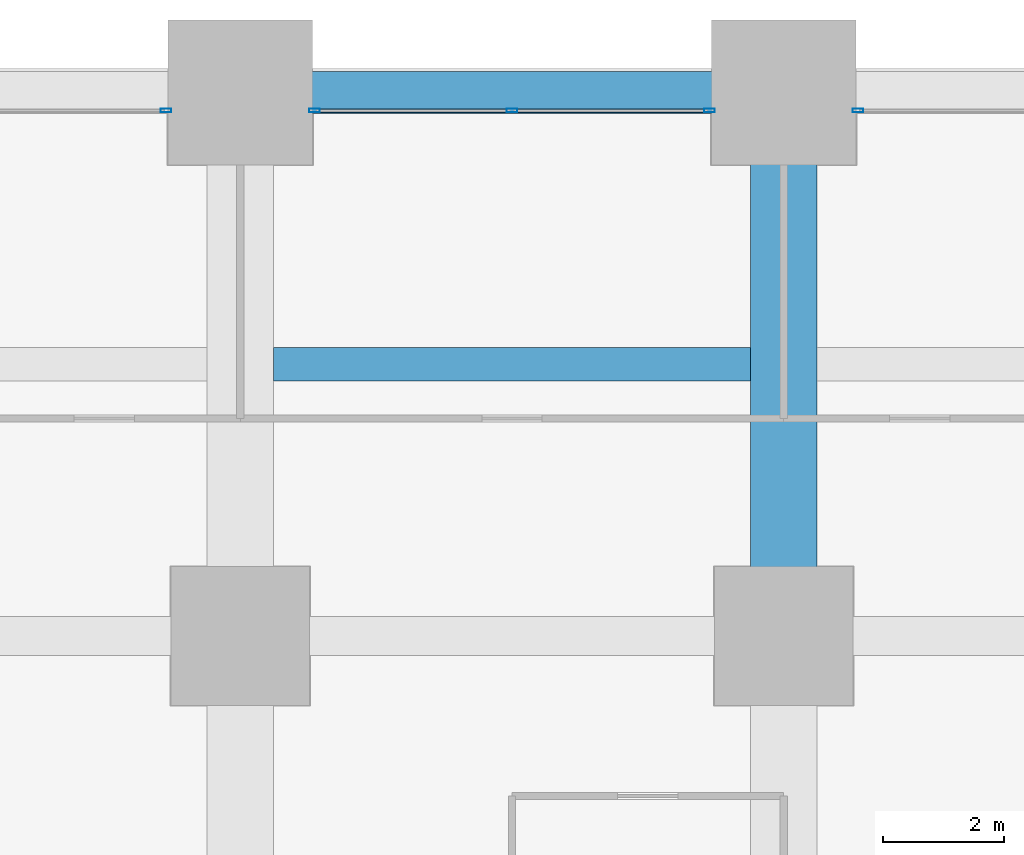
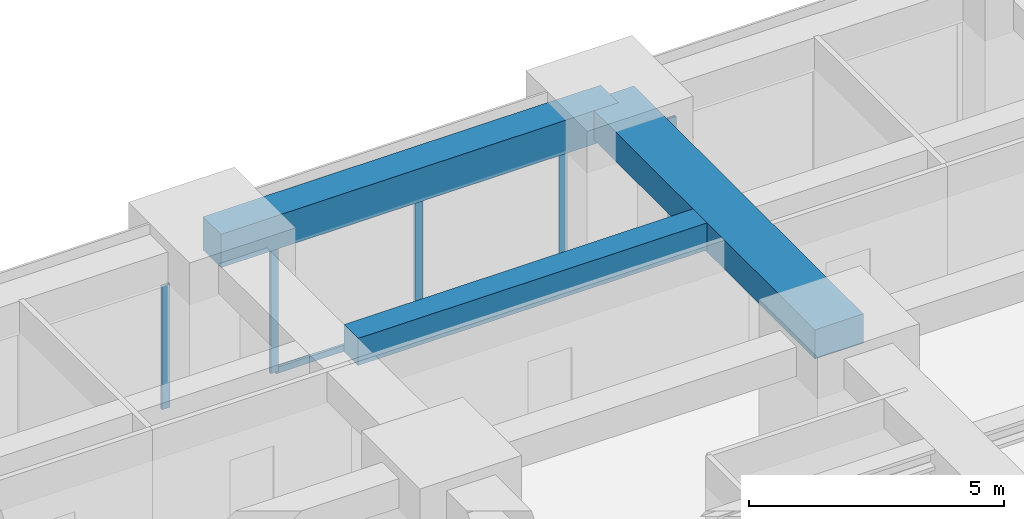
# One storey, part 21 of 38: 6 members, 3 beams, 3 elements without a shape of their own.
"""IFC4 building model written with IfcOpenShell, lengths in metres."""

from ifc_helpers import new_model, si_unit, direction, frame, origin, origin_2d, place, context, subcontext, project, spatial, rectangle, hollow_rectangle, extrude, material, material_profile, profile_set, type_object, element, aggregate, save


model = new_model("IFC4")

# Units and contexts
model_context = context("Model", 3, precision=1e-05, world=origin(), true_north=direction((0.0, 1.0)))
body_context = subcontext(model_context, "Body", "Model", "MODEL_VIEW")
ifc_project = project(units=[si_unit("LENGTHUNIT", "METRE"), si_unit("AREAUNIT", "SQUARE_METRE"), si_unit("VOLUMEUNIT", "CUBIC_METRE"), si_unit("PLANEANGLEUNIT", "RADIAN"), si_unit("MASSUNIT", "GRAM", prefix="KILO")], contexts=[model_context])

# Site, building, storey
site_placement = place(None, origin())
site = spatial("IfcSite", under=ifc_project, at=site_placement, CompositionType="ELEMENT")
building_placement = place(site_placement, origin())
building = spatial("IfcBuilding", under=site, at=building_placement, Name="Zorevar Civic Tower", CompositionType="ELEMENT")
storey_placement = place(building_placement, frame((0.0, 0.0, 15.800048828125)))
storey = spatial("IfcBuildingStorey", under=building, at=storey_placement, Name="L03", CompositionType="ELEMENT", Elevation=15.800048828125)

# Beams
ifc_material_1 = material(Name="Concrete C50/60", Category="concrete")
ifc_material_profile_1 = material_profile(ifc_material_1, rectangle(XDim=1.10009765625, YDim=0.699951171875, at=origin_2d()), Name="RC 1100x700")
ifc_profile_set_1 = profile_set([ifc_material_profile_1], Name="Concrete C50/60")
beam_type_1 = type_object("IfcBeamType", Name="Beam RC 1100x700", PredefinedType="BEAM", material=ifc_profile_set_1)
beam_1_placement = place(storey_placement, frame((36.0, 45.0, 3.39990234375), z_axis=(0.0, 1.0, 0.0), x_axis=(-1.0, 0.0, 0.0)))
element("IfcBeam", 1, at=beam_1_placement, inside=storey, type_object=beam_type_1, Name="Girder L04", PredefinedType="BEAM", context=body_context, shape_type="SweptSolid", body=[
    extrude(rectangle(XDim=1.10009765625, YDim=0.699951171875, at=origin_2d()), origin(), (0.0, 0.0, 1.0), 9.0),
])
ifc_material_2 = material(Name="Concrete C50/60", Category="concrete")
ifc_material_profile_2 = material_profile(ifc_material_2, rectangle(XDim=0.550048828125, YDim=0.64990234375, at=origin_2d()), Name="RC 550x650")
ifc_profile_set_2 = profile_set([ifc_material_profile_2], Name="Concrete C50/60")
beam_type_2 = type_object("IfcBeamType", Name="Beam RC 550x650", PredefinedType="BEAM", material=ifc_profile_set_2)
beam_2_placement = place(storey_placement, frame((27.550048828125, 49.5, 3.425048828125), z_axis=(1.0, 0.0, 0.0), x_axis=(0.0, 1.0, 0.0)))
element("IfcBeam", 2, at=beam_2_placement, inside=storey, type_object=beam_type_2, Name="Secondary beam L04", PredefinedType="BEAM", context=body_context, shape_type="SweptSolid", body=[
    extrude(rectangle(XDim=0.550048828125, YDim=0.64990234375, at=origin_2d()), origin(), (0.0, 0.0, 1.0), 7.89990234375),
])

# Curtain wall, member
ifc_material_3 = material(Name="Dark grey solar-control glass in black aluminium frame", Category="aluminium")
curtain_wall_type = type_object("IfcCurtainWallType", Name="Curtain wall CW2 low zone", PredefinedType="NOTDEFINED", material=ifc_material_3)
curtain_wall_1_placement = place(storey_placement, origin())
curtain_wall_1 = element("IfcCurtainWall", 3, at=curtain_wall_1_placement, inside=storey, type_object=curtain_wall_type, Name="CW2 L03", PredefinedType="NOTDEFINED")
ifc_material_4 = material(Name="Aluminium, black anodised", Category="aluminium")
ifc_material_profile_3 = material_profile(ifc_material_4, hollow_rectangle(XDim=0.06005859375, YDim=0.179931640625, WallThickness=0.00390625, at=origin_2d()), Name="AL 180x60x4")
ifc_profile_set_3 = profile_set([ifc_material_profile_3], Name="Aluminium, black anodised")
member_type_1 = type_object("IfcMemberType", Name="CW2 mullion AL 180x60x4", PredefinedType="MULLION", material=ifc_profile_set_3)
member_1_placement = place(storey_placement, frame((25.77001953125, 53.699951171875, 0.0), z_axis=(0.0, 0.0, 1.0), x_axis=(0.0, 1.0, 0.0)))
member_1 = element("IfcMember", 4, at=member_1_placement, type_object=member_type_1, Name="CW2 mullion 3", PredefinedType="MULLION", context=body_context, shape_type="SweptSolid", body=[
    extrude(hollow_rectangle(XDim=0.06005859375, YDim=0.179931640625, WallThickness=0.00390625, at=origin_2d()), origin(), (0.0, 0.0, 1.0), 2.949951171875),
])
aggregate(curtain_wall_1, [member_1])

# Curtain wall, members
curtain_wall_2_placement = place(storey_placement, origin())
curtain_wall_2 = element("IfcCurtainWall", 5, at=curtain_wall_2_placement, inside=storey, type_object=curtain_wall_type, Name="CW2 L03", PredefinedType="NOTDEFINED")
member_2_placement = place(storey_placement, frame((28.22998046875, 53.699951171875, 0.0), z_axis=(0.0, 0.0, 1.0), x_axis=(0.0, 1.0, 0.0)))
member_2 = element("IfcMember", 6, at=member_2_placement, type_object=member_type_1, Name="CW2 mullion 1", PredefinedType="MULLION", context=body_context, shape_type="SweptSolid", body=[
    extrude(hollow_rectangle(XDim=0.06005859375, YDim=0.179931640625, WallThickness=0.00390625, at=origin_2d()), origin(), (0.0, 0.0, 1.0), 2.949951171875),
])
member_3_placement = place(storey_placement, frame((31.5, 53.699951171875, 0.06005859375), z_axis=(0.0, 0.0, 1.0), x_axis=(0.0, 1.0, 0.0)))
member_3 = element("IfcMember", 7, at=member_3_placement, type_object=member_type_1, Name="CW2 mullion 2", PredefinedType="MULLION", context=body_context, shape_type="SweptSolid", body=[
    extrude(hollow_rectangle(XDim=0.06005859375, YDim=0.179931640625, WallThickness=0.00390625, at=origin_2d()), origin(), (0.0, 0.0, 1.0), 2.889892578125),
])
member_4_placement = place(storey_placement, frame((34.77001953125, 53.699951171875, 0.0), z_axis=(0.0, 0.0, 1.0), x_axis=(0.0, 1.0, 0.0)))
member_4 = element("IfcMember", 8, at=member_4_placement, type_object=member_type_1, Name="CW2 mullion 3", PredefinedType="MULLION", context=body_context, shape_type="SweptSolid", body=[
    extrude(hollow_rectangle(XDim=0.06005859375, YDim=0.179931640625, WallThickness=0.00390625, at=origin_2d()), origin(), (0.0, 0.0, 1.0), 2.949951171875),
])

# Curtain wall, member
curtain_wall_3_placement = place(storey_placement, origin())
curtain_wall_3 = element("IfcCurtainWall", 9, at=curtain_wall_3_placement, inside=storey, type_object=curtain_wall_type, Name="CW2 L03", PredefinedType="NOTDEFINED")
member_5_placement = place(storey_placement, frame((37.22998046875, 53.699951171875, 0.0), z_axis=(0.0, 0.0, 1.0), x_axis=(0.0, 1.0, 0.0)))
member_5 = element("IfcMember", 10, at=member_5_placement, type_object=member_type_1, Name="CW2 mullion 1", PredefinedType="MULLION", context=body_context, shape_type="SweptSolid", body=[
    extrude(hollow_rectangle(XDim=0.06005859375, YDim=0.179931640625, WallThickness=0.00390625, at=origin_2d()), origin(), (0.0, 0.0, 1.0), 2.949951171875),
])
aggregate(curtain_wall_3, [member_5])

# Member
ifc_material_5 = material(Name="Aluminium, black anodised", Category="aluminium")
ifc_material_profile_4 = material_profile(ifc_material_5, hollow_rectangle(XDim=0.06005859375, YDim=0.14990234375, WallThickness=0.00390625, at=origin_2d()), Name="AL 150x60x4")
ifc_profile_set_4 = profile_set([ifc_material_profile_4], Name="Aluminium, black anodised")
member_type_2 = type_object("IfcMemberType", Name="CW2 transom AL 150x60x4", PredefinedType="USERDEFINED", material=ifc_profile_set_4)
member_6_placement = place(storey_placement, frame((28.260009765625, 53.699951171875, 0.030029296875), z_axis=(1.0, 0.0, 0.0), x_axis=(0.0, 1.0, 0.0)))
member_6 = element("IfcMember", 11, at=member_6_placement, type_object=member_type_2, Name="CW2 sill transom", ObjectType="TRANSOM", PredefinedType="USERDEFINED", context=body_context, shape_type="SweptSolid", body=[
    extrude(hollow_rectangle(XDim=0.06005859375, YDim=0.14990234375, WallThickness=0.00390625, at=origin_2d()), origin(), (0.0, 0.0, 1.0), 6.47998046875),
])

aggregate(curtain_wall_2, [member_2, member_3, member_4, member_6])

# Beam
ifc_material_6 = material(Name="Concrete C50/60", Category="concrete")
ifc_material_profile_5 = material_profile(ifc_material_6, rectangle(XDim=0.699951171875, YDim=0.800048828125, at=origin_2d()), Name="RC 700x800")
ifc_profile_set_5 = profile_set([ifc_material_profile_5], Name="Concrete C50/60")
beam_type_3 = type_object("IfcBeamType", Name="Edge beam RC 700x800", PredefinedType="SPANDREL", material=ifc_profile_set_5)
beam_3_placement = place(storey_placement, frame((27.0, 54.0, 3.349853515625), z_axis=(1.0, 0.0, 0.0), x_axis=(0.0, 1.0, 0.0)))
element("IfcBeam", 12, at=beam_3_placement, inside=storey, type_object=beam_type_3, Name="Edge beam L04", PredefinedType="SPANDREL", context=body_context, shape_type="SweptSolid", body=[
    extrude(rectangle(XDim=0.699951171875, YDim=0.800048828125, at=origin_2d()), origin(), (0.0, 0.0, 1.0), 9.0),
])

save(model, "model.ifc")
